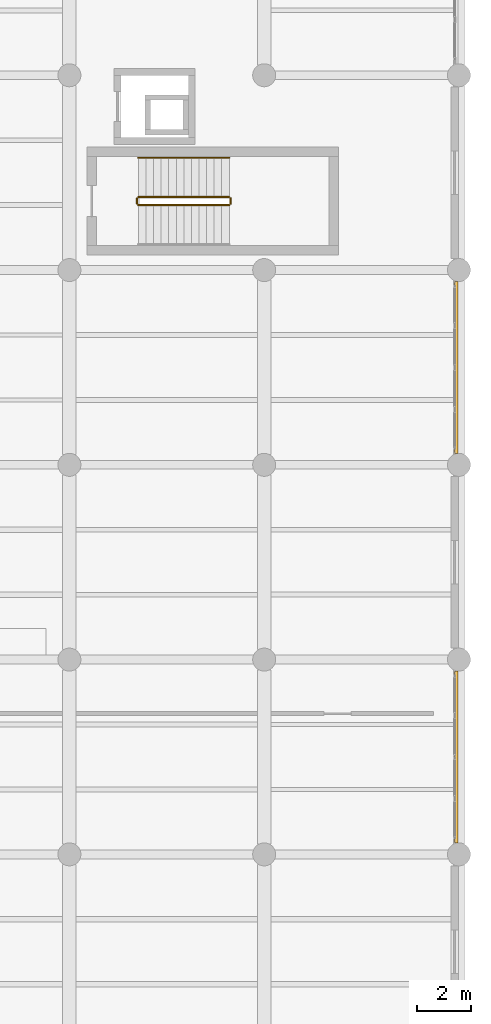
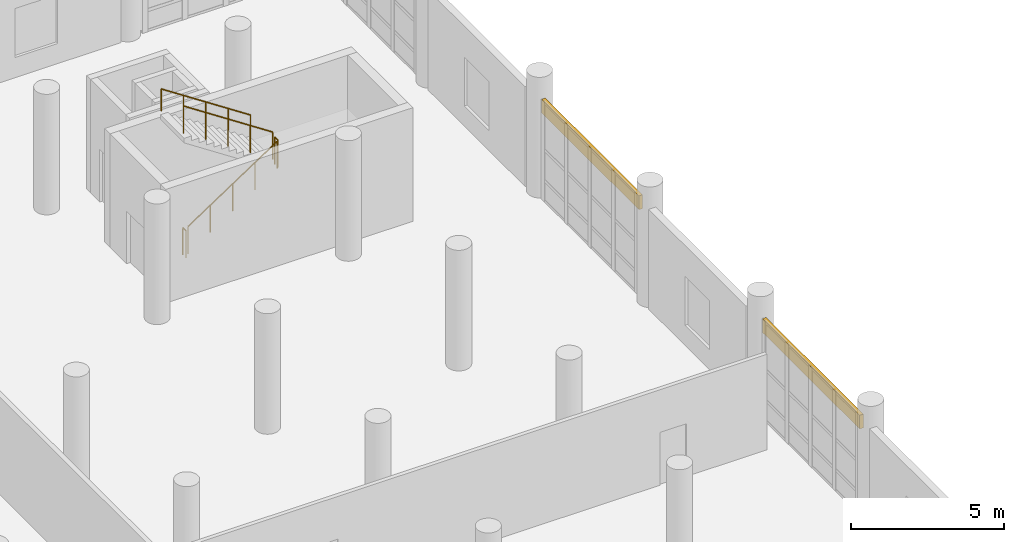
# One storey, part 126 of 127: 5 railings, 2 shading devices.
"""IFC4 building model written with IfcOpenShell, lengths in metres."""

import ifcopenshell
import ifcopenshell.guid

model = None  # the IFC model being written
_history = None  # IfcOwnerHistory: only IFC2X3 demands one
_inside = {}  # id of a spatial element -> (the spatial element, [elements in it])
_under = {}  # id of a project, library or spatial element -> (it, [spatial elements below it])
_declared = {}  # id of a project -> (the project, [libraries it declares])
_typed = {}  # id of a type object -> (the type object, [elements of that type])
_made_of = {}  # id of a material, layer set ... -> (it, [elements and type objects made of it])


def new_model(schema):
    """Start an empty IFC model of exactly this schema.

    Asked for "IFC4X3", IfcOpenShell would pick the latest addendum, in which some entities
    have other attributes; the version numbers below select the first issue.
    IFC2X3 requires an IfcOwnerHistory on every rooted entity: one is made here for all.
    """
    global model, _history
    if schema == "IFC4X3":
        model = ifcopenshell.file(schema_version=(4, 3, 0, 0))
    else:
        model = ifcopenshell.file(schema=schema)
    _inside.clear()
    _under.clear()
    _declared.clear()
    _typed.clear()
    _made_of.clear()
    _history = None
    if model.schema == "IFC2X3":
        org = make("IfcOrganization", Name="unknown")
        user = make(
            "IfcPersonAndOrganization",
            ThePerson=make("IfcPerson", FamilyName="unknown"),
            TheOrganization=org,
        )
        app = make(
            "IfcApplication",
            ApplicationDeveloper=org,
            Version="unknown",
            ApplicationFullName="unknown",
            ApplicationIdentifier="unknown",
        )
        _history = make(
            "IfcOwnerHistory",
            OwningUser=user,
            OwningApplication=app,
            ChangeAction="ADDED",
            CreationDate=0,
        )
    return model


def make(cls, **values):
    """One entity of the class cls with the attributes given. An attribute that is None is left unset."""
    return model.create_entity(
        cls, **{name: value for name, value in values.items() if value is not None}
    )


def rooted(cls, **values):
    """An entity with a GlobalId (a new one), such as an element, a storey or a relation."""
    return make(cls, GlobalId=ifcopenshell.guid.new(), OwnerHistory=_history, **values)


def si_unit(unit_type, name, prefix=None):
    """IfcSIUnit, for example si_unit("LENGTHUNIT", "METRE", prefix="MILLI")."""
    return make("IfcSIUnit", UnitType=unit_type, Prefix=prefix, Name=name)


def assignment(units):
    """IfcUnitAssignment: the units of a project."""
    return None if units is None else make("IfcUnitAssignment", Units=units)


def point(xyz):
    """IfcCartesianPoint."""
    return None if xyz is None else make("IfcCartesianPoint", Coordinates=xyz)


def direction(xyz):
    """IfcDirection."""
    return None if xyz is None else make("IfcDirection", DirectionRatios=xyz)


def frame(location, z_axis=None, x_axis=None):
    """IfcAxis2Placement3D, a coordinate frame: its origin and axes. An axis left out is left unset."""
    return make(
        "IfcAxis2Placement3D",
        Location=point(location),
        Axis=direction(z_axis),
        RefDirection=direction(x_axis),
    )


def frame_2d(location, x_axis=None):
    """IfcAxis2Placement2D, a coordinate frame in the plane: its origin and x axis."""
    return make(
        "IfcAxis2Placement2D", Location=point(location), RefDirection=direction(x_axis)
    )


def origin():
    """The frame at (0, 0, 0) with its axes left unset."""
    return frame((0.0, 0.0, 0.0))


def origin_2d():
    """The frame at (0, 0) in the plane with its x axis left unset."""
    return frame_2d((0.0, 0.0))


def place(relative_to, where):
    """IfcLocalPlacement: puts the frame where relative to a parent placement (None: the world)."""
    return make(
        "IfcLocalPlacement", PlacementRelTo=relative_to, RelativePlacement=where
    )


def context(
    kind, dimensions, precision=None, world=None, true_north=None, identifier=None
):
    """IfcGeometricRepresentationContext, for example the 3D "Model" context."""
    return make(
        "IfcGeometricRepresentationContext",
        ContextIdentifier=identifier,
        ContextType=kind,
        CoordinateSpaceDimension=dimensions,
        Precision=precision,
        WorldCoordinateSystem=world,
        TrueNorth=true_north,
    )


def subcontext(parent, identifier, kind, view, scale=None):
    """IfcGeometricRepresentationSubContext, for example "Body" below "Model"."""
    return make(
        "IfcGeometricRepresentationSubContext",
        ContextIdentifier=identifier,
        ContextType=kind,
        ParentContext=parent,
        TargetScale=scale,
        TargetView=view,
    )


def project(units=None, contexts=None):
    """IfcProject with its units and contexts."""
    return rooted(
        "IfcProject",
        Name="project",
        RepresentationContexts=contexts,
        UnitsInContext=assignment(units),
    )


def spatial(cls, under=None, at=None, **own):
    """A site, building, storey or space (cls), placed at a placement, below another one or the project."""
    s = rooted(cls, ObjectPlacement=at, **own)
    if under is not None:
        _under.setdefault(under.id(), (under, []))[1].append(s)
    return s


def profile(cls, at=None, kind="AREA", **sizes):
    """A parametric profile (cls). Its sizes go by their IFC names, for example OverallWidth=200.0."""
    return make(cls, ProfileType=kind, Position=at, **sizes)


def rectangle(**sizes):
    """IfcRectangleProfileDef."""
    return profile("IfcRectangleProfileDef", **sizes)


def circle(**sizes):
    """IfcCircleProfileDef."""
    return profile("IfcCircleProfileDef", **sizes)


def extrude(swept, where, along, depth):
    """IfcExtrudedAreaSolid: the profile swept, set in the frame where, extruded along a direction by depth."""
    return make(
        "IfcExtrudedAreaSolid",
        SweptArea=swept,
        Position=where,
        ExtrudedDirection=direction(along),
        Depth=depth,
    )


def shape(context_of_items, identifier, shape_type, items):
    """IfcShapeRepresentation: the items that make up one representation, for example the "Body"."""
    return make(
        "IfcShapeRepresentation",
        ContextOfItems=context_of_items,
        RepresentationIdentifier=identifier,
        RepresentationType=shape_type,
        Items=items,
    )


def material(Name=None, Category=None):
    """IfcMaterial."""
    return make("IfcMaterial", Name=Name, Category=Category)


def layer(
    of_material, thickness, ventilated=None, Name=None, Category=None, Priority=None
):
    """IfcMaterialLayer: one layer of a wall or slab, of a material (None: an air gap)."""
    return make(
        "IfcMaterialLayer",
        Material=of_material,
        LayerThickness=thickness,
        IsVentilated=ventilated,
        Name=Name,
        Category=Category,
        Priority=Priority,
    )


def layer_set(layers, Name=None):
    """IfcMaterialLayerSet."""
    return make("IfcMaterialLayerSet", MaterialLayers=layers, LayerSetName=Name)


def made_of(thing, what):
    """Note that an element or type object is made of a material, layer set ...; save() writes the relation."""
    if what is not None:
        _made_of.setdefault(what.id(), (what, []))[1].append(thing)
    return thing


def type_object(cls, material=None, **own):
    """A type object (cls), such as IfcWallType, which elements share."""
    return made_of(rooted(cls, **own), material)


def element(
    cls,
    number,
    at=None,
    inside=None,
    cuts=None,
    type_object=None,
    material=None,
    context=None,
    identifier="Body",
    shape_type=None,
    held_by="IfcProductDefinitionShape",
    body=None,
    shapes=None,
    **own,
):
    """One element of the class cls, such as IfcWall. Its Tag is "e" and its number.

    at: its placement. inside: the storey or other place that contains it. cuts: it is an
    opening in that element (IfcRelVoidsElement). A single representation is given by context,
    identifier, shape_type and body (its items); several are given by shapes. held_by: the class
    of the entity that holds the representations. save() writes the other relations.
    """
    e = rooted(cls, Tag="e%d" % number, ObjectPlacement=at, **own)
    if body is not None:
        shapes = [shape(context, identifier, shape_type, body)]
    if shapes is not None:
        e.Representation = make(held_by, Representations=shapes)
    if inside is not None:
        _inside.setdefault(inside.id(), (inside, []))[1].append(e)
    if cuts is not None:
        rooted(
            "IfcRelVoidsElement", RelatingBuildingElement=cuts, RelatedOpeningElement=e
        )
    if type_object is not None:
        _typed.setdefault(type_object.id(), (type_object, []))[1].append(e)
    return made_of(e, material)


def aggregate(whole, parts):
    """IfcRelAggregates: a whole, such as a stair, and the parts it consists of."""
    return rooted("IfcRelAggregates", RelatingObject=whole, RelatedObjects=parts)


def save(model, path):
    """Write the relations noted so far, then the file.

    IfcRelAggregates (storeys below a building ...), IfcRelContainedInSpatialStructure (elements
    in a storey), IfcRelDefinesByType, IfcRelAssociatesMaterial and IfcRelDeclares: one each for
    every whole, place, type object, material and project.
    """
    for whole, parts in _under.values():
        aggregate(whole, parts)
    for where, things in _inside.values():
        rooted(
            "IfcRelContainedInSpatialStructure",
            RelatedElements=things,
            RelatingStructure=where,
        )
    for kind, things in _typed.values():
        rooted("IfcRelDefinesByType", RelatedObjects=things, RelatingType=kind)
    for what, things in _made_of.values():
        rooted("IfcRelAssociatesMaterial", RelatedObjects=things, RelatingMaterial=what)
    for by, libraries in _declared.values():
        rooted("IfcRelDeclares", RelatingContext=by, RelatedDefinitions=libraries)
    model.write(path)


model = new_model("IFC4")

# Units and contexts
model_context = context("Model", 3, precision=1e-05, world=origin(), true_north=direction((0.0, 1.0)))
body_context = subcontext(model_context, "Body", "Model", "MODEL_VIEW")
ifc_project = project(units=[si_unit("LENGTHUNIT", "METRE"), si_unit("AREAUNIT", "SQUARE_METRE"), si_unit("VOLUMEUNIT", "CUBIC_METRE"), si_unit("PLANEANGLEUNIT", "RADIAN"), si_unit("MASSUNIT", "GRAM", prefix="KILO")], contexts=[model_context])

# Site, building, storey
site_placement = place(None, origin())
site = spatial("IfcSite", under=ifc_project, at=site_placement, CompositionType="ELEMENT")
building_placement = place(site_placement, origin())
building = spatial("IfcBuilding", under=site, at=building_placement, Name="Kalmorath City Hall", CompositionType="ELEMENT")
storey_placement = place(building_placement, frame((0.0, 0.0, 5.39990234375)))
storey = spatial("IfcBuildingStorey", under=building, at=storey_placement, Name="L01", CompositionType="ELEMENT", Elevation=5.39990234375)

# Shading devices
ifc_material_1 = material(Name="Bronze anodised storm louvre")
ifc_layer = layer(ifc_material_1, 0.139892578125)
ifc_layer_set = layer_set([ifc_layer], Name="Bronze anodised storm louvre")
shading_device_type = type_object("IfcShadingDeviceType", Name="Hurricane bronze storm louvre bank", PredefinedType="JALOUSIE", material=ifc_layer_set)
for number, where, z_axis, x_axis, name in (
    (1, (165.5, 82.800048828125, 3.40087890625), (0.0, 0.0, 1.0), (0.0, -1.0, 0.0), "L01 library storm louvre #144"),
    (2, (165.5, 68.39990234375, 3.40087890625), (0.0, 0.0, 1.0), (0.0, -1.0, 0.0), "L01 library storm louvre #145"),
):
    element("IfcShadingDevice", number, at=place(storey_placement, frame(where, z_axis=z_axis, x_axis=x_axis)), inside=storey, type_object=shading_device_type, Name=name, PredefinedType="JALOUSIE", context=body_context, shape_type="SweptSolid", body=[
        extrude(rectangle(XDim=6.347900390625, YDim=0.139892578125, at=origin_2d()), origin(), (0.0, 0.0, 1.0), 0.550048828125),
    ])

# Railings
ifc_material_2 = material(Name="Painted steel guardrail", Category="steel")
railing_type_1 = type_object("IfcRailingType", Name="Protected stair guardrail 1100", PredefinedType="GUARDRAIL", material=ifc_material_2)
railing_1_placement = place(storey_placement, frame((153.75, 88.800048828125, 0.184814453125)))
element("IfcRailing", 3, at=railing_1_placement, inside=storey, type_object=railing_type_1, Name="L01 ST-6 stair guard 1", PredefinedType="GUARDRAIL", context=body_context, shape_type="SweptSolid", body=[
    extrude(circle(Radius=0.02392578125, at=origin_2d()), frame((0.0, 0.0, 1.076171875), z_axis=(0.834876476806, 0.0, 0.550437342915), x_axis=(0.0, 1.0, 0.0)), (0.0, 0.0, 1.0), 4.024658203125),
    extrude(circle(Radius=0.02099609375, at=origin_2d()), origin(), (0.0, 0.0, 1.0), 1.052001953125),
    extrude(circle(Radius=0.02099609375, at=origin_2d()), frame((0.840087890625, 0.0, 0.5537109375)), (0.0, 0.0, 1.0), 1.052001953125),
    extrude(circle(Radius=0.02099609375, at=origin_2d()), frame((1.68017578125, 0.0, 1.107666015625)), (0.0, 0.0, 1.0), 1.052001953125),
    extrude(circle(Radius=0.02099609375, at=origin_2d()), frame((2.52001953125, 0.0, 1.66162109375)), (0.0, 0.0, 1.0), 1.052001953125),
    extrude(circle(Radius=0.02099609375, at=origin_2d()), frame((3.360107421875, 0.0, 2.21533203125)), (0.0, 0.0, 1.0), 1.052001953125),
])
railing_2_placement = place(storey_placement, frame((157.159912109375, 88.85009765625, 2.400146484375)))
element("IfcRailing", 4, at=railing_2_placement, inside=storey, type_object=railing_type_1, Name="L01 ST-6 stair guard 2", PredefinedType="GUARDRAIL", context=body_context, shape_type="SweptSolid", body=[
    extrude(circle(Radius=0.02392578125, at=origin_2d()), frame((0.0, 0.0, 1.076171875), z_axis=(0.0, 1.0, 0.0), x_axis=(-1.0, 0.0, 0.0)), (0.0, 0.0, 1.0), 0.199951171875),
    extrude(circle(Radius=0.02099609375, at=origin_2d()), origin(), (0.0, 0.0, 1.0), 1.052001953125),
    extrude(circle(Radius=0.02099609375, at=origin_2d()), frame((0.0, 0.199951171875, 0.0)), (0.0, 0.0, 1.0), 1.052001953125),
])
railing_3_placement = place(storey_placement, frame((157.110107421875, 89.10009765625, 2.584716796875)))
element("IfcRailing", 5, at=railing_3_placement, inside=storey, type_object=railing_type_1, Name="L01 ST-6 stair guard 3", PredefinedType="GUARDRAIL", context=body_context, shape_type="SweptSolid", body=[
    extrude(circle(Radius=0.02392578125, at=origin_2d()), frame((0.0, 0.0, 1.076171875), z_axis=(-0.834876476806, 0.0, 0.550437342915), x_axis=(0.0, -1.0, 0.0)), (0.0, 0.0, 1.0), 4.024658203125),
    extrude(circle(Radius=0.02099609375, at=origin_2d()), origin(), (0.0, 0.0, 1.0), 1.052001953125),
    extrude(circle(Radius=0.02099609375, at=origin_2d()), frame((-0.840087890625, 0.0, 0.5537109375)), (0.0, 0.0, 1.0), 1.052001953125),
    extrude(circle(Radius=0.02099609375, at=origin_2d()), frame((-1.68017578125, 0.0, 1.107666015625)), (0.0, 0.0, 1.0), 1.052001953125),
    extrude(circle(Radius=0.02099609375, at=origin_2d()), frame((-2.52001953125, 0.0, 1.66162109375)), (0.0, 0.0, 1.0), 1.052001953125),
    extrude(circle(Radius=0.02099609375, at=origin_2d()), frame((-3.360107421875, 0.0, 2.21533203125)), (0.0, 0.0, 1.0), 1.052001953125),
])
railing_4_placement = place(storey_placement, frame((153.699951171875, 88.85009765625, 0.0)))
element("IfcRailing", 6, at=railing_4_placement, inside=storey, type_object=railing_type_1, Name="L01 ST-6 stair guard 4", PredefinedType="GUARDRAIL", context=body_context, shape_type="SweptSolid", body=[
    extrude(circle(Radius=0.02392578125, at=origin_2d()), frame((0.0, 0.0, 1.076171875), z_axis=(0.0, 1.0, 0.0), x_axis=(-1.0, 0.0, 0.0)), (0.0, 0.0, 1.0), 0.199951171875),
    extrude(circle(Radius=0.02099609375, at=origin_2d()), origin(), (0.0, 0.0, 1.0), 1.052001953125),
    extrude(circle(Radius=0.02099609375, at=origin_2d()), frame((0.0, 0.199951171875, 0.0)), (0.0, 0.0, 1.0), 1.052001953125),
])
ifc_material_3 = material(Name="Brushed stainless steel handrail", Category="steel")
railing_type_2 = type_object("IfcRailingType", Name="Stair pitch handrail 900", PredefinedType="HANDRAIL", material=ifc_material_3)
railing_5_placement = place(storey_placement, frame((157.110107421875, 90.550048828125, 2.584716796875)))
element("IfcRailing", 7, at=railing_5_placement, inside=storey, type_object=railing_type_2, Name="L01 ST-6 stair handrail 2", PredefinedType="HANDRAIL", context=body_context, shape_type="SweptSolid", body=[
    extrude(circle(Radius=0.02392578125, at=origin_2d()), frame((0.0, 0.0, 0.8759765625), z_axis=(-0.834876476806, 0.0, 0.550437342915), x_axis=(0.0, -1.0, 0.0)), (0.0, 0.0, 1.0), 4.024658203125),
    extrude(circle(Radius=0.02099609375, at=origin_2d()), origin(), (0.0, 0.0, 1.0), 0.851806640625),
    extrude(circle(Radius=0.02099609375, at=origin_2d()), frame((-0.840087890625, 0.0, 0.5537109375)), (0.0, 0.0, 1.0), 0.851806640625),
    extrude(circle(Radius=0.02099609375, at=origin_2d()), frame((-1.68017578125, 0.0, 1.107666015625)), (0.0, 0.0, 1.0), 0.851806640625),
    extrude(circle(Radius=0.02099609375, at=origin_2d()), frame((-2.52001953125, 0.0, 1.66162109375)), (0.0, 0.0, 1.0), 0.851806640625),
    extrude(circle(Radius=0.02099609375, at=origin_2d()), frame((-3.360107421875, 0.0, 2.21533203125)), (0.0, 0.0, 1.0), 0.851806640625),
])

save(model, "model.ifc")
